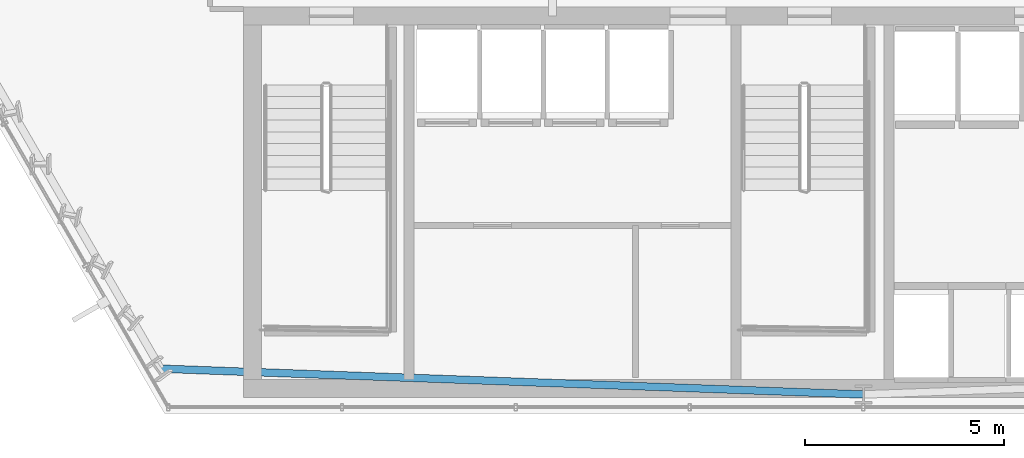
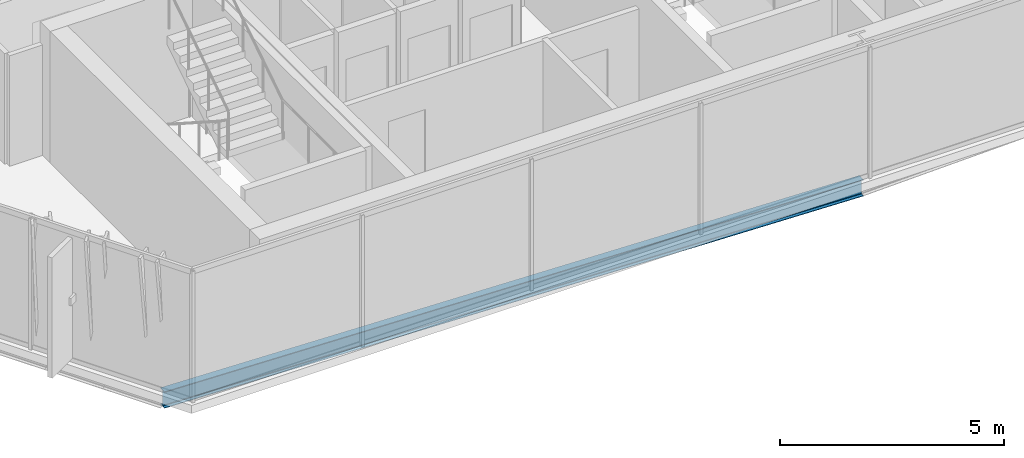
# One storey, part 3 of 32: 1 beam.
"""IFC4 building model written with IfcOpenShell, lengths in metres."""

from ifc_helpers import new_model, si_unit, direction, frame, origin, origin_2d, place, context, subcontext, project, spatial, i_section, extrude, material, material_profile, profile_set, type_object, element, save


model = new_model("IFC4")

# Units and contexts
model_context = context("Model", 3, precision=1e-05, world=origin(), true_north=direction((0.0, 1.0)))
body_context = subcontext(model_context, "Body", "Model", "MODEL_VIEW")
ifc_project = project(units=[si_unit("LENGTHUNIT", "METRE"), si_unit("AREAUNIT", "SQUARE_METRE"), si_unit("VOLUMEUNIT", "CUBIC_METRE"), si_unit("PLANEANGLEUNIT", "RADIAN"), si_unit("MASSUNIT", "GRAM", prefix="KILO")], contexts=[model_context])

# Site, building, storey
site_placement = place(None, origin())
site = spatial("IfcSite", under=ifc_project, at=site_placement, CompositionType="ELEMENT")
building_placement = place(site_placement, origin())
building = spatial("IfcBuilding", under=site, at=building_placement, Name="Ndaravel Arena Tower", CompositionType="ELEMENT")
storey_placement = place(building_placement, frame((0.0, 0.0, 134.60009765625)))
storey = spatial("IfcBuildingStorey", under=building, at=storey_placement, Name="L31", CompositionType="ELEMENT", Elevation=134.60009765625)

# Beam
ifc_material = material(Name="Steel S355", Category="steel")
ifc_material_profile = material_profile(ifc_material, i_section(OverallWidth=0.18994140625, OverallDepth=0.449951171875, WebThickness=0.009521484375, FlangeThickness=0.0146484375, FilletRadius=0.02099609375, at=origin_2d()), Name="IPE 450")
ifc_profile_set = profile_set([ifc_material_profile], Name="Steel S355")
beam_type = type_object("IfcBeamType", Name="BM-SPAN-IPE450", PredefinedType="SPANDREL", material=ifc_profile_set)
beam_placement = place(storey_placement, frame((24.3662109375, 6.127685546875, -0.445068359375), z_axis=(0.999326102031, -0.036706154797, 0.0), x_axis=(0.036706154797, 0.999326102031, 0.0)))
element("IfcBeam", 1, at=beam_placement, inside=storey, type_object=beam_type, Name="L31 Perimeter Spandrel Beam SP-27", PredefinedType="SPANDREL", context=body_context, shape_type="SweptSolid", body=[
    extrude(i_section(OverallWidth=0.18994140625, OverallDepth=0.449951171875, WebThickness=0.009521484375, FlangeThickness=0.0146484375, FilletRadius=0.02099609375, at=origin_2d()), origin(), (0.0, 0.0, 1.0), 17.645751953125),
])

save(model, "model.ifc")
